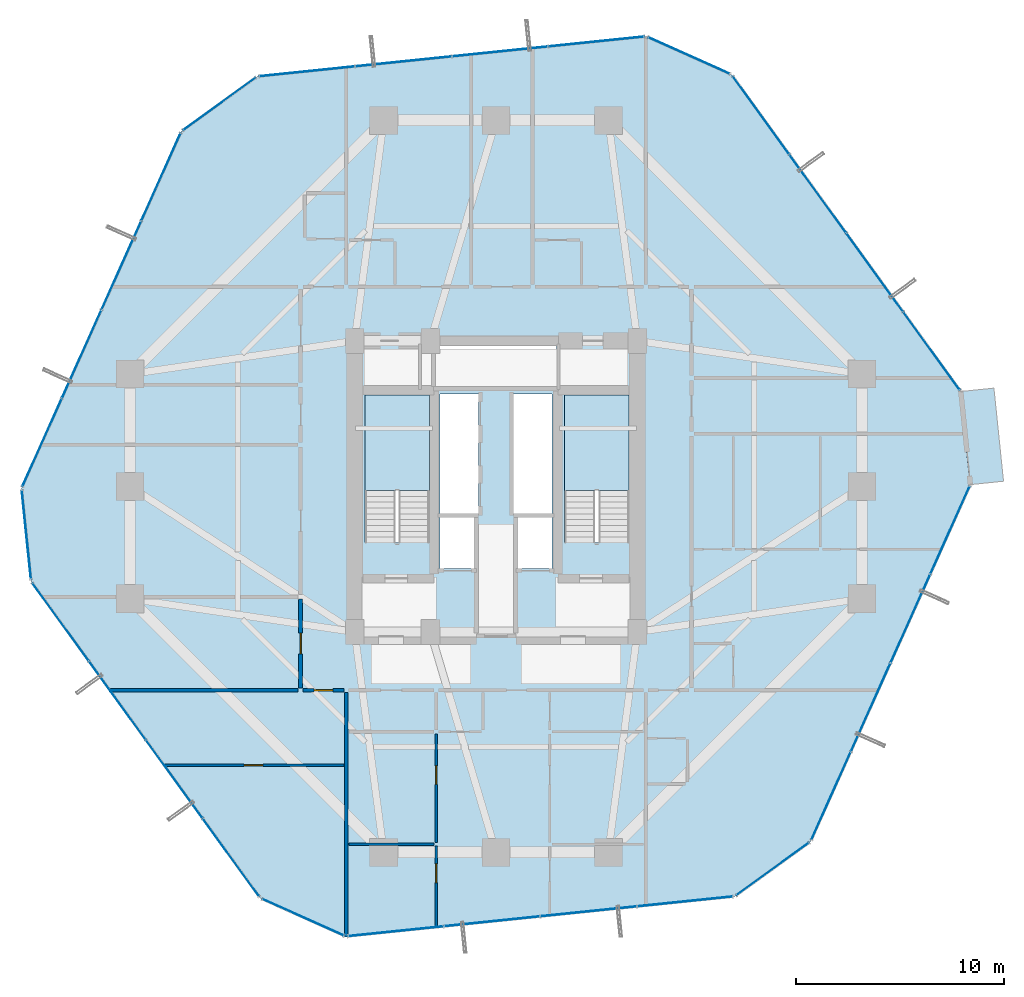
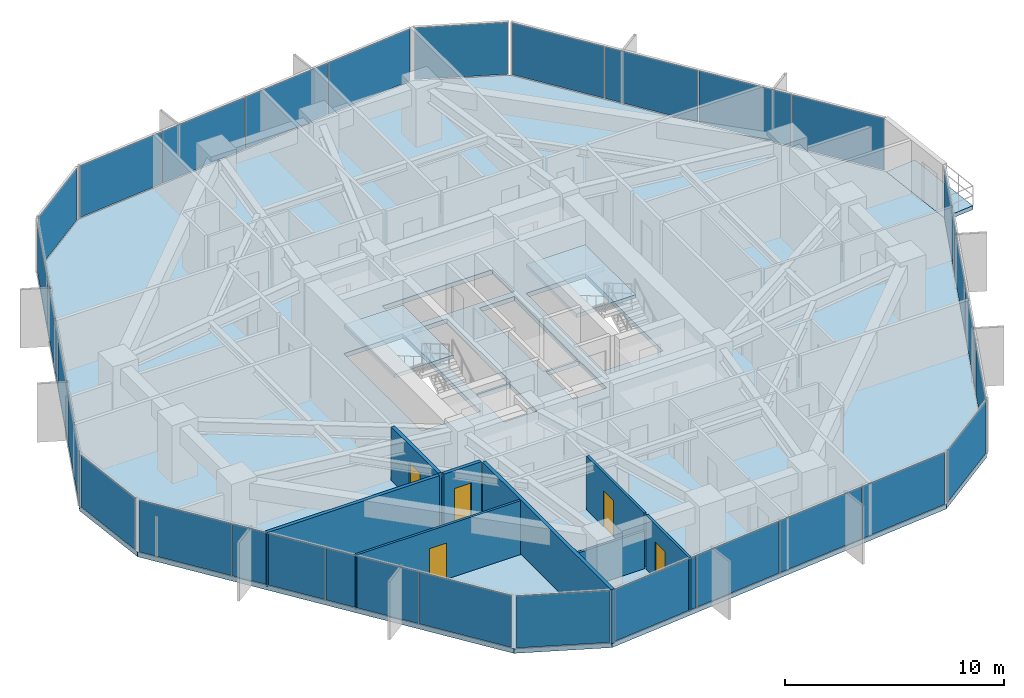
# One storey, part 32 of 37: 29 plates, 8 walls, 5 doors, 4 slabs, 5 openings, 13 elements without a shape of their own.
"""IFC4 building model written with IfcOpenShell, lengths in metres."""

import ifcopenshell
import ifcopenshell.guid

model = None  # the IFC model being written
_history = None  # IfcOwnerHistory: only IFC2X3 demands one
_inside = {}  # id of a spatial element -> (the spatial element, [elements in it])
_under = {}  # id of a project, library or spatial element -> (it, [spatial elements below it])
_declared = {}  # id of a project -> (the project, [libraries it declares])
_typed = {}  # id of a type object -> (the type object, [elements of that type])
_made_of = {}  # id of a material, layer set ... -> (it, [elements and type objects made of it])


def new_model(schema):
    """Start an empty IFC model of exactly this schema.

    Asked for "IFC4X3", IfcOpenShell would pick the latest addendum, in which some entities
    have other attributes; the version numbers below select the first issue.
    IFC2X3 requires an IfcOwnerHistory on every rooted entity: one is made here for all.
    """
    global model, _history
    if schema == "IFC4X3":
        model = ifcopenshell.file(schema_version=(4, 3, 0, 0))
    else:
        model = ifcopenshell.file(schema=schema)
    _inside.clear()
    _under.clear()
    _declared.clear()
    _typed.clear()
    _made_of.clear()
    _history = None
    if model.schema == "IFC2X3":
        org = make("IfcOrganization", Name="unknown")
        user = make(
            "IfcPersonAndOrganization",
            ThePerson=make("IfcPerson", FamilyName="unknown"),
            TheOrganization=org,
        )
        app = make(
            "IfcApplication",
            ApplicationDeveloper=org,
            Version="unknown",
            ApplicationFullName="unknown",
            ApplicationIdentifier="unknown",
        )
        _history = make(
            "IfcOwnerHistory",
            OwningUser=user,
            OwningApplication=app,
            ChangeAction="ADDED",
            CreationDate=0,
        )
    return model


def make(cls, **values):
    """One entity of the class cls with the attributes given. An attribute that is None is left unset."""
    return model.create_entity(
        cls, **{name: value for name, value in values.items() if value is not None}
    )


def rooted(cls, **values):
    """An entity with a GlobalId (a new one), such as an element, a storey or a relation."""
    return make(cls, GlobalId=ifcopenshell.guid.new(), OwnerHistory=_history, **values)


def si_unit(unit_type, name, prefix=None):
    """IfcSIUnit, for example si_unit("LENGTHUNIT", "METRE", prefix="MILLI")."""
    return make("IfcSIUnit", UnitType=unit_type, Prefix=prefix, Name=name)


def assignment(units):
    """IfcUnitAssignment: the units of a project."""
    return None if units is None else make("IfcUnitAssignment", Units=units)


def point(xyz):
    """IfcCartesianPoint."""
    return None if xyz is None else make("IfcCartesianPoint", Coordinates=xyz)


def direction(xyz):
    """IfcDirection."""
    return None if xyz is None else make("IfcDirection", DirectionRatios=xyz)


def frame(location, z_axis=None, x_axis=None):
    """IfcAxis2Placement3D, a coordinate frame: its origin and axes. An axis left out is left unset."""
    return make(
        "IfcAxis2Placement3D",
        Location=point(location),
        Axis=direction(z_axis),
        RefDirection=direction(x_axis),
    )


def frame_2d(location, x_axis=None):
    """IfcAxis2Placement2D, a coordinate frame in the plane: its origin and x axis."""
    return make(
        "IfcAxis2Placement2D", Location=point(location), RefDirection=direction(x_axis)
    )


def origin():
    """The frame at (0, 0, 0) with its axes left unset."""
    return frame((0.0, 0.0, 0.0))


def origin_2d():
    """The frame at (0, 0) in the plane with its x axis left unset."""
    return frame_2d((0.0, 0.0))


def place(relative_to, where):
    """IfcLocalPlacement: puts the frame where relative to a parent placement (None: the world)."""
    return make(
        "IfcLocalPlacement", PlacementRelTo=relative_to, RelativePlacement=where
    )


def context(
    kind, dimensions, precision=None, world=None, true_north=None, identifier=None
):
    """IfcGeometricRepresentationContext, for example the 3D "Model" context."""
    return make(
        "IfcGeometricRepresentationContext",
        ContextIdentifier=identifier,
        ContextType=kind,
        CoordinateSpaceDimension=dimensions,
        Precision=precision,
        WorldCoordinateSystem=world,
        TrueNorth=true_north,
    )


def subcontext(parent, identifier, kind, view, scale=None):
    """IfcGeometricRepresentationSubContext, for example "Body" below "Model"."""
    return make(
        "IfcGeometricRepresentationSubContext",
        ContextIdentifier=identifier,
        ContextType=kind,
        ParentContext=parent,
        TargetScale=scale,
        TargetView=view,
    )


def project(units=None, contexts=None):
    """IfcProject with its units and contexts."""
    return rooted(
        "IfcProject",
        Name="project",
        RepresentationContexts=contexts,
        UnitsInContext=assignment(units),
    )


def spatial(cls, under=None, at=None, **own):
    """A site, building, storey or space (cls), placed at a placement, below another one or the project."""
    s = rooted(cls, ObjectPlacement=at, **own)
    if under is not None:
        _under.setdefault(under.id(), (under, []))[1].append(s)
    return s


def polyline(points):
    """IfcPolyline through the points."""
    return make("IfcPolyline", Points=[point(p) for p in points])


def profile(cls, at=None, kind="AREA", **sizes):
    """A parametric profile (cls). Its sizes go by their IFC names, for example OverallWidth=200.0."""
    return make(cls, ProfileType=kind, Position=at, **sizes)


def rectangle(**sizes):
    """IfcRectangleProfileDef."""
    return profile("IfcRectangleProfileDef", **sizes)


def outline(outer, holes=None, kind="AREA"):
    """IfcArbitraryClosedProfileDef: a profile drawn as a closed curve; with holes, ...WithVoids."""
    if holes is None:
        return make("IfcArbitraryClosedProfileDef", ProfileType=kind, OuterCurve=outer)
    return make(
        "IfcArbitraryProfileDefWithVoids",
        ProfileType=kind,
        OuterCurve=outer,
        InnerCurves=holes,
    )


def extrude(swept, where, along, depth):
    """IfcExtrudedAreaSolid: the profile swept, set in the frame where, extruded along a direction by depth."""
    return make(
        "IfcExtrudedAreaSolid",
        SweptArea=swept,
        Position=where,
        ExtrudedDirection=direction(along),
        Depth=depth,
    )


def shape(context_of_items, identifier, shape_type, items):
    """IfcShapeRepresentation: the items that make up one representation, for example the "Body"."""
    return make(
        "IfcShapeRepresentation",
        ContextOfItems=context_of_items,
        RepresentationIdentifier=identifier,
        RepresentationType=shape_type,
        Items=items,
    )


def source(mapping_origin, context_of_items, identifier, shape_type, items):
    """IfcRepresentationMap: a shape defined once, which mapped items show again and again."""
    return make(
        "IfcRepresentationMap",
        MappingOrigin=mapping_origin,
        MappedRepresentation=shape(context_of_items, identifier, shape_type, items),
    )


def transform(
    local_origin,
    x_axis=None,
    y_axis=None,
    z_axis=None,
    scale=None,
    scale2=None,
    scale3=None,
    uniform=True,
):
    """IfcCartesianTransformationOperator3D, or its non-uniform kind. x_axis, y_axis, z_axis: its Axis1, 2, 3."""
    if uniform:
        return make(
            "IfcCartesianTransformationOperator3D",
            Axis1=direction(x_axis),
            Axis2=direction(y_axis),
            LocalOrigin=point(local_origin),
            Scale=scale,
            Axis3=direction(z_axis),
        )
    return make(
        "IfcCartesianTransformationOperator3DnonUniform",
        Axis1=direction(x_axis),
        Axis2=direction(y_axis),
        LocalOrigin=point(local_origin),
        Scale=scale,
        Axis3=direction(z_axis),
        Scale2=scale2,
        Scale3=scale3,
    )


def mapped(mapping_source, mapping_target):
    """IfcMappedItem: shows the shape of a source again, moved by a transform."""
    return make(
        "IfcMappedItem", MappingSource=mapping_source, MappingTarget=mapping_target
    )


def material(Name=None, Category=None):
    """IfcMaterial."""
    return make("IfcMaterial", Name=Name, Category=Category)


def layer(
    of_material, thickness, ventilated=None, Name=None, Category=None, Priority=None
):
    """IfcMaterialLayer: one layer of a wall or slab, of a material (None: an air gap)."""
    return make(
        "IfcMaterialLayer",
        Material=of_material,
        LayerThickness=thickness,
        IsVentilated=ventilated,
        Name=Name,
        Category=Category,
        Priority=Priority,
    )


def layer_set(layers, Name=None):
    """IfcMaterialLayerSet."""
    return make("IfcMaterialLayerSet", MaterialLayers=layers, LayerSetName=Name)


def made_of(thing, what):
    """Note that an element or type object is made of a material, layer set ...; save() writes the relation."""
    if what is not None:
        _made_of.setdefault(what.id(), (what, []))[1].append(thing)
    return thing


def type_object(cls, material=None, **own):
    """A type object (cls), such as IfcWallType, which elements share."""
    return made_of(rooted(cls, **own), material)


def element(
    cls,
    number,
    at=None,
    inside=None,
    cuts=None,
    type_object=None,
    material=None,
    context=None,
    identifier="Body",
    shape_type=None,
    held_by="IfcProductDefinitionShape",
    body=None,
    shapes=None,
    **own,
):
    """One element of the class cls, such as IfcWall. Its Tag is "e" and its number.

    at: its placement. inside: the storey or other place that contains it. cuts: it is an
    opening in that element (IfcRelVoidsElement). A single representation is given by context,
    identifier, shape_type and body (its items); several are given by shapes. held_by: the class
    of the entity that holds the representations. save() writes the other relations.
    """
    e = rooted(cls, Tag="e%d" % number, ObjectPlacement=at, **own)
    if body is not None:
        shapes = [shape(context, identifier, shape_type, body)]
    if shapes is not None:
        e.Representation = make(held_by, Representations=shapes)
    if inside is not None:
        _inside.setdefault(inside.id(), (inside, []))[1].append(e)
    if cuts is not None:
        rooted(
            "IfcRelVoidsElement", RelatingBuildingElement=cuts, RelatedOpeningElement=e
        )
    if type_object is not None:
        _typed.setdefault(type_object.id(), (type_object, []))[1].append(e)
    return made_of(e, material)


def fill(opening, filler):
    """IfcRelFillsElement: the door or window that sits in an opening."""
    return rooted(
        "IfcRelFillsElement",
        RelatingOpeningElement=opening,
        RelatedBuildingElement=filler,
    )


def aggregate(whole, parts):
    """IfcRelAggregates: a whole, such as a stair, and the parts it consists of."""
    return rooted("IfcRelAggregates", RelatingObject=whole, RelatedObjects=parts)


def save(model, path):
    """Write the relations noted so far, then the file.

    IfcRelAggregates (storeys below a building ...), IfcRelContainedInSpatialStructure (elements
    in a storey), IfcRelDefinesByType, IfcRelAssociatesMaterial and IfcRelDeclares: one each for
    every whole, place, type object, material and project.
    """
    for whole, parts in _under.values():
        aggregate(whole, parts)
    for where, things in _inside.values():
        rooted(
            "IfcRelContainedInSpatialStructure",
            RelatedElements=things,
            RelatingStructure=where,
        )
    for kind, things in _typed.values():
        rooted("IfcRelDefinesByType", RelatedObjects=things, RelatingType=kind)
    for what, things in _made_of.values():
        rooted("IfcRelAssociatesMaterial", RelatedObjects=things, RelatingMaterial=what)
    for by, libraries in _declared.values():
        rooted("IfcRelDeclares", RelatingContext=by, RelatedDefinitions=libraries)
    model.write(path)


model = new_model("IFC4")

# Units and contexts
model_context = context("Model", 3, precision=1e-05, world=origin(), true_north=direction((0.0, 1.0)))
body_context = subcontext(model_context, "Body", "Model", "MODEL_VIEW")
ifc_project = project(units=[si_unit("LENGTHUNIT", "METRE"), si_unit("AREAUNIT", "SQUARE_METRE"), si_unit("VOLUMEUNIT", "CUBIC_METRE"), si_unit("PLANEANGLEUNIT", "RADIAN"), si_unit("MASSUNIT", "GRAM", prefix="KILO")], contexts=[model_context])

# Site, building, storey
site_placement = place(None, origin())
site = spatial("IfcSite", under=ifc_project, at=site_placement, CompositionType="ELEMENT")
building_placement = place(site_placement, origin())
building = spatial("IfcBuilding", under=site, at=building_placement, Name="Veraguas Prism Commons", CompositionType="ELEMENT")
storey_placement = place(building_placement, frame((0.0, 0.0, 43.550048828125)))
storey = spatial("IfcBuildingStorey", under=building, at=storey_placement, Name="L11", CompositionType="ELEMENT", Elevation=43.550048828125)

# Stair, slab
ifc_material_1 = material(Name="Precast concrete C45/55", Category="concrete")
stair_type = type_object("IfcStairType", Name="Dogleg Core Stair 1480W 20R 05", PredefinedType="HALF_TURN_STAIR", material=ifc_material_1)
stair_1_placement = place(storey_placement, origin())
stair_1 = element("IfcStair", 1, at=stair_1_placement, inside=storey, type_object=stair_type, Name="Protected Exit Stair ST-01 L11", PredefinedType="HALF_TURN_STAIR")
ifc_layer_1 = layer(ifc_material_1, 0.199951171875, Name="Precast Stair and Ramp Landing Slab 200", Category="concrete")
ifc_layer_set_1 = layer_set([ifc_layer_1], Name="Precast concrete C45/55")
slab_type_1 = type_object("IfcSlabType", Name="Precast Stair and Ramp Landing Slab 200", PredefinedType="LANDING", material=ifc_layer_set_1)
slab_1_placement = place(storey_placement, frame((0.0, 0.0, 1.425048828125)))
slab_1 = element("IfcSlab", 2, at=slab_1_placement, type_object=slab_type_1, Name="ST-05 Landing 1", PredefinedType="LANDING", context=body_context, shape_type="SweptSolid", body=[
    extrude(outline(polyline([(20.800048828125, 23.800048828125), (20.800048828125, 28.39990234375), (17.68994140625, 28.39990234375), (17.68994140625, 23.800048828125), (20.800048828125, 23.800048828125)])), origin(), (0.0, 0.0, 1.0), 0.199951171875),
])
aggregate(stair_1, [slab_1])

stair_2_placement = place(storey_placement, origin())
stair_2 = element("IfcStair", 3, at=stair_2_placement, inside=storey, type_object=stair_type, Name="Protected Exit Stair ST-02 L11", PredefinedType="HALF_TURN_STAIR")
slab_2_placement = place(storey_placement, frame((0.0, 0.0, 1.425048828125)))
slab_2 = element("IfcSlab", 4, at=slab_2_placement, type_object=slab_type_1, Name="ST-05 Landing 1", PredefinedType="LANDING", context=body_context, shape_type="SweptSolid", body=[
    extrude(outline(polyline([(30.39990234375, 23.800048828125), (30.39990234375, 28.39990234375), (27.2900390625, 28.39990234375), (27.2900390625, 23.800048828125), (30.39990234375, 23.800048828125)])), origin(), (0.0, 0.0, 1.0), 0.199951171875),
])
aggregate(stair_2, [slab_2])

# Slabs
ifc_material_2 = material(Name="Concrete C45/55", Category="concrete")
ifc_layer_2 = layer(ifc_material_2, 0.219970703125, Name="Recessed Loggia and Terrace Slab RC 220", Category="concrete")
ifc_layer_set_2 = layer_set([ifc_layer_2], Name="Concrete C45/55")
slab_type_2 = type_object("IfcSlabType", Name="Recessed Loggia and Terrace Slab RC 220", PredefinedType="FLOOR", material=ifc_layer_set_2)
slab_3_placement = place(storey_placement, frame((0.0, 0.0, -0.219970703125)))
element("IfcSlab", 5, at=slab_3_placement, inside=storey, type_object=slab_type_2, Name="Recessed Corner Loggia L11-C1", PredefinedType="FLOOR", context=body_context, shape_type="SweptSolid", body=[
    extrude(outline(polyline([(46.7919921875, 24.08544921875), (48.403564453125, 24.251220703125), (47.942626953125, 28.727783203125), (46.3310546875, 28.561767578125), (46.7919921875, 24.08544921875)])), origin(), (0.0, 0.0, 1.0), 0.219970703125),
])
ifc_layer_3 = layer(ifc_material_2, 0.25, Name="Tower Lower Residential Floor Slab RC 250", Category="concrete")
ifc_layer_set_3 = layer_set([ifc_layer_3], Name="Concrete C45/55")
slab_type_3 = type_object("IfcSlabType", Name="Tower Lower Residential Floor Slab RC 250", PredefinedType="FLOOR", material=ifc_layer_set_3)
slab_4_placement = place(storey_placement, frame((0.0, 0.0, -0.25)))
element("IfcSlab", 6, at=slab_4_placement, inside=storey, type_object=slab_type_3, Name="Tower Floor Slab L11", PredefinedType="FLOOR", context=body_context, shape_type="SweptSolid", body=[
    extrude(outline(polyline([(46.81201171875, 24.08740234375), (46.35107421875, 28.563720703125), (35.330322265625, 43.799560546875), (31.22314453125, 45.638427734375), (12.518310546875, 43.712158203125), (8.8720703125, 41.07470703125), (1.18798828125, 23.91259765625), (1.64892578125, 19.436279296875), (12.669677734375, 4.200439453125), (16.77685546875, 2.361572265625), (35.481689453125, 4.287841796875), (39.1279296875, 6.92529296875), (46.81201171875, 24.08740234375)]), holes=[polyline([(20.800048828125, 21.31005859375), (20.800048828125, 28.39990234375), (17.68994140625, 28.39990234375), (17.68994140625, 21.31005859375), (20.800048828125, 21.31005859375)]), polyline([(30.39990234375, 21.31005859375), (30.39990234375, 28.39990234375), (27.2900390625, 28.39990234375), (27.2900390625, 21.31005859375), (30.39990234375, 21.31005859375)]), polyline([(21.300048828125, 22.64990234375), (23.14990234375, 22.64990234375), (23.14990234375, 28.449951171875), (21.300048828125, 28.449951171875), (21.300048828125, 22.64990234375)]), polyline([(24.85009765625, 22.64990234375), (26.699951171875, 22.64990234375), (26.699951171875, 28.449951171875), (24.85009765625, 28.449951171875), (24.85009765625, 22.64990234375)]), polyline([(21.10009765625, 28.800048828125), (26.89990234375, 28.800048828125), (26.89990234375, 30.800048828125), (21.10009765625, 30.800048828125), (21.10009765625, 28.800048828125)]), polyline([(21.300048828125, 20.050048828125), (23.050048828125, 20.050048828125), (23.050048828125, 22.550048828125), (21.300048828125, 22.550048828125), (21.300048828125, 20.050048828125)]), polyline([(24.949951171875, 20.050048828125), (26.699951171875, 20.050048828125), (26.699951171875, 22.550048828125), (24.949951171875, 22.550048828125), (24.949951171875, 20.050048828125)])]), origin(), (0.0, 0.0, 1.0), 0.25),
])

# Curtain wall, plates
ifc_material_3 = material(Name="Anodised aluminium EN AW-6063 T6", Category="aluminium")
ifc_layer_4 = layer(ifc_material_3, 0.169921875, Name="Unitised Flush Curtain Wall Zone 1", Category="aluminium")
ifc_layer_set_4 = layer_set([ifc_layer_4], Name="Anodised aluminium EN AW-6063 T6")
curtain_wall_type = type_object("IfcCurtainWallType", Name="Unitised Flush Curtain Wall Zone 1", PredefinedType="NOTDEFINED", material=ifc_layer_set_4)
curtain_wall_1_placement = place(storey_placement, origin())
curtain_wall_1 = element("IfcCurtainWall", 7, at=curtain_wall_1_placement, inside=storey, type_object=curtain_wall_type, Name="Tower Facade Curtain Wall L11-F1", PredefinedType="NOTDEFINED")
ifc_material_4 = material(Name="Laminated low-e glass", Category="glass")
ifc_layer_5 = layer(ifc_material_4, 0.028076171875, Name="Unitised Double Low-E Glazed Panel 28", Category="glass")
ifc_layer_set_5 = layer_set([ifc_layer_5], Name="Laminated low-e glass")
plate_type = type_object("IfcPlateType", Name="Unitised Double Low-E Glazed Panel 28", PredefinedType="CURTAIN_PANEL", material=ifc_layer_set_5)
shared_shape_1 = source(origin(), body_context, "Body", "SweptSolid", [
    extrude(rectangle(XDim=4.5810546875, YDim=0.028076171875, at=origin_2d()), origin(), (0.0, 0.0, 1.0), 2.889892578125),
])
plate_1_placement = place(storey_placement, frame((44.938232421875, 30.516845703125, 0.05517578125), z_axis=(0.0, 0.0, 1.0), x_axis=(-0.586086734847, 0.81024831949, 0.0)))
plate_1 = element("IfcPlate", 8, at=plate_1_placement, type_object=plate_type, Name="CW-Z1 Panel 1.1", PredefinedType="CURTAIN_PANEL", context=body_context, shape_type="MappedRepresentation", body=[
    mapped(shared_shape_1, transform((0.0, 0.0, 0.0), scale=1.0)),
])
plate_2_placement = place(storey_placement, frame((36.7431640625, 41.846435546875, 0.05517578125), z_axis=(0.0, 0.0, 1.0), x_axis=(-0.586086734847, 0.81024831949, 0.0)))
plate_2 = element("IfcPlate", 9, at=plate_2_placement, type_object=plate_type, Name="CW-Z1 Panel 4.1", PredefinedType="CURTAIN_PANEL", context=body_context, shape_type="MappedRepresentation", body=[
    mapped(shared_shape_1, transform((0.0, 0.0, 0.0), scale=1.0)),
])

curtain_wall_2_placement = place(storey_placement, origin())
curtain_wall_2 = element("IfcCurtainWall", 10, at=curtain_wall_2_placement, inside=storey, type_object=curtain_wall_type, Name="Tower Facade Curtain Wall L11-F2", PredefinedType="NOTDEFINED")
plate_3_placement = place(storey_placement, frame((28.825439453125, 45.3916015625, 0.05517578125), z_axis=(0.0, 0.0, 1.0), x_axis=(-0.994738459078, -0.102447049893, 0.0)))
plate_3 = element("IfcPlate", 11, at=plate_3_placement, type_object=plate_type, Name="CW-Z1 Panel 1.1", PredefinedType="CURTAIN_PANEL", context=body_context, shape_type="MappedRepresentation", body=[
    mapped(shared_shape_1, transform((0.0, 0.0, 0.0), scale=1.0)),
])
plate_4_placement = place(storey_placement, frame((14.916015625, 43.958984375, 0.05517578125), z_axis=(0.0, 0.0, 1.0), x_axis=(-0.994738459078, -0.102447049893, 0.0)))
plate_4 = element("IfcPlate", 12, at=plate_4_placement, type_object=plate_type, Name="CW-Z1 Panel 4.1", PredefinedType="CURTAIN_PANEL", context=body_context, shape_type="MappedRepresentation", body=[
    mapped(shared_shape_1, transform((0.0, 0.0, 0.0), scale=1.0)),
])

curtain_wall_3_placement = place(storey_placement, origin())
curtain_wall_3 = element("IfcCurtainWall", 13, at=curtain_wall_3_placement, inside=storey, type_object=curtain_wall_type, Name="Tower Facade Curtain Wall L11-F3", PredefinedType="NOTDEFINED")
plate_5_placement = place(storey_placement, frame((7.886962890625, 38.874755859375, 0.05517578125), z_axis=(0.0, 0.0, 1.0), x_axis=(-0.408649074736, -0.912691587404, 0.0)))
plate_5 = element("IfcPlate", 14, at=plate_5_placement, type_object=plate_type, Name="CW-Z1 Panel 1.1", PredefinedType="CURTAIN_PANEL", context=body_context, shape_type="MappedRepresentation", body=[
    mapped(shared_shape_1, transform((0.0, 0.0, 0.0), scale=1.0)),
])
plate_6_placement = place(storey_placement, frame((2.173095703125, 26.112548828125, 0.05517578125), z_axis=(0.0, 0.0, 1.0), x_axis=(-0.408649074736, -0.912691587404, 0.0)))
plate_6 = element("IfcPlate", 15, at=plate_6_placement, type_object=plate_type, Name="CW-Z1 Panel 4.1", PredefinedType="CURTAIN_PANEL", context=body_context, shape_type="MappedRepresentation", body=[
    mapped(shared_shape_1, transform((0.0, 0.0, 0.0), scale=1.0)),
])

curtain_wall_4_placement = place(storey_placement, origin())
curtain_wall_4 = element("IfcCurtainWall", 16, at=curtain_wall_4_placement, inside=storey, type_object=curtain_wall_type, Name="Tower Facade Curtain Wall L11-F4", PredefinedType="NOTDEFINED")
plate_7_placement = place(storey_placement, frame((3.061767578125, 17.483154296875, 0.05517578125), z_axis=(0.0, 0.0, 1.0), x_axis=(0.586086734847, -0.81024831949, 0.0)))
plate_7 = element("IfcPlate", 17, at=plate_7_placement, type_object=plate_type, Name="CW-Z1 Panel 1.1", PredefinedType="CURTAIN_PANEL", context=body_context, shape_type="MappedRepresentation", body=[
    mapped(shared_shape_1, transform((0.0, 0.0, 0.0), scale=1.0)),
])
plate_8_placement = place(storey_placement, frame((11.2568359375, 6.153564453125, 0.05517578125), z_axis=(0.0, 0.0, 1.0), x_axis=(0.586086734847, -0.81024831949, 0.0)))
plate_8 = element("IfcPlate", 18, at=plate_8_placement, type_object=plate_type, Name="CW-Z1 Panel 4.1", PredefinedType="CURTAIN_PANEL", context=body_context, shape_type="MappedRepresentation", body=[
    mapped(shared_shape_1, transform((0.0, 0.0, 0.0), scale=1.0)),
])

curtain_wall_5_placement = place(storey_placement, origin())
curtain_wall_5 = element("IfcCurtainWall", 19, at=curtain_wall_5_placement, inside=storey, type_object=curtain_wall_type, Name="Tower Facade Curtain Wall L11-F5", PredefinedType="NOTDEFINED")
plate_9_placement = place(storey_placement, frame((19.174560546875, 2.6083984375, 0.05517578125), z_axis=(0.0, 0.0, 1.0), x_axis=(0.994738459078, 0.102447049893, 0.0)))
plate_9 = element("IfcPlate", 20, at=plate_9_placement, type_object=plate_type, Name="CW-Z1 Panel 1.1", PredefinedType="CURTAIN_PANEL", context=body_context, shape_type="MappedRepresentation", body=[
    mapped(shared_shape_1, transform((0.0, 0.0, 0.0), scale=1.0)),
])
plate_10_placement = place(storey_placement, frame((33.083984375, 4.041015625, 0.05517578125), z_axis=(0.0, 0.0, 1.0), x_axis=(0.994738459078, 0.102447049893, 0.0)))
plate_10 = element("IfcPlate", 21, at=plate_10_placement, type_object=plate_type, Name="CW-Z1 Panel 4.1", PredefinedType="CURTAIN_PANEL", context=body_context, shape_type="MappedRepresentation", body=[
    mapped(shared_shape_1, transform((0.0, 0.0, 0.0), scale=1.0)),
])

curtain_wall_6_placement = place(storey_placement, origin())
curtain_wall_6 = element("IfcCurtainWall", 22, at=curtain_wall_6_placement, inside=storey, type_object=curtain_wall_type, Name="Tower Facade Curtain Wall L11-F6", PredefinedType="NOTDEFINED")
plate_11_placement = place(storey_placement, frame((40.113037109375, 9.125244140625, 0.05517578125), z_axis=(0.0, 0.0, 1.0), x_axis=(0.408649074736, 0.912691587404, 0.0)))
plate_11 = element("IfcPlate", 23, at=plate_11_placement, type_object=plate_type, Name="CW-Z1 Panel 1.1", PredefinedType="CURTAIN_PANEL", context=body_context, shape_type="MappedRepresentation", body=[
    mapped(shared_shape_1, transform((0.0, 0.0, 0.0), scale=1.0)),
])
plate_12_placement = place(storey_placement, frame((45.826904296875, 21.887451171875, 0.05517578125), z_axis=(0.0, 0.0, 1.0), x_axis=(0.408649074736, 0.912691587404, 0.0)))
plate_12 = element("IfcPlate", 24, at=plate_12_placement, type_object=plate_type, Name="CW-Z1 Panel 4.1", PredefinedType="CURTAIN_PANEL", context=body_context, shape_type="MappedRepresentation", body=[
    mapped(shared_shape_1, transform((0.0, 0.0, 0.0), scale=1.0)),
])

# Plate
shared_shape_2 = source(origin(), body_context, "Body", "SweptSolid", [
    extrude(rectangle(XDim=4.61083984375, YDim=0.028076171875, at=origin_2d()), origin(), (0.0, 0.0, 1.0), 2.889892578125),
])
plate_13_placement = place(storey_placement, frame((42.20947265625, 34.289306640625, 0.05517578125), z_axis=(0.0, 0.0, 1.0), x_axis=(-0.586086734847, 0.81024831949, 0.0)))
plate_13 = element("IfcPlate", 25, at=plate_13_placement, type_object=plate_type, Name="CW-Z1 Panel 2.1", PredefinedType="CURTAIN_PANEL", context=body_context, shape_type="MappedRepresentation", body=[
    mapped(shared_shape_2, transform((0.0, 0.0, 0.0), scale=1.0)),
])

plate_14_placement = place(storey_placement, frame((39.471923828125, 38.073974609375, 0.05517578125), z_axis=(0.0, 0.0, 1.0), x_axis=(-0.586086734847, 0.81024831949, 0.0)))
plate_14 = element("IfcPlate", 26, at=plate_14_placement, type_object=plate_type, Name="CW-Z1 Panel 3.1", PredefinedType="CURTAIN_PANEL", context=body_context, shape_type="MappedRepresentation", body=[
    mapped(shared_shape_2, transform((0.0, 0.0, 0.0), scale=1.0)),
])

aggregate(curtain_wall_1, [plate_1, plate_13, plate_14, plate_2])

plate_15_placement = place(storey_placement, frame((24.19384765625, 44.91455078125, 0.05517578125), z_axis=(0.0, 0.0, 1.0), x_axis=(-0.994738459078, -0.102447049893, 0.0)))
plate_15 = element("IfcPlate", 27, at=plate_15_placement, type_object=plate_type, Name="CW-Z1 Panel 2.1", PredefinedType="CURTAIN_PANEL", context=body_context, shape_type="MappedRepresentation", body=[
    mapped(shared_shape_2, transform((0.0, 0.0, 0.0), scale=1.0)),
])

plate_16_placement = place(storey_placement, frame((19.547607421875, 44.43603515625, 0.05517578125), z_axis=(0.0, 0.0, 1.0), x_axis=(-0.994738459078, -0.102447049893, 0.0)))
plate_16 = element("IfcPlate", 28, at=plate_16_placement, type_object=plate_type, Name="CW-Z1 Panel 3.1", PredefinedType="CURTAIN_PANEL", context=body_context, shape_type="MappedRepresentation", body=[
    mapped(shared_shape_2, transform((0.0, 0.0, 0.0), scale=1.0)),
])

aggregate(curtain_wall_2, [plate_3, plate_15, plate_16, plate_4])

plate_17_placement = place(storey_placement, frame((5.984375, 34.625244140625, 0.05517578125), z_axis=(0.0, 0.0, 1.0), x_axis=(-0.408649074736, -0.912691587404, 0.0)))
plate_17 = element("IfcPlate", 29, at=plate_17_placement, type_object=plate_type, Name="CW-Z1 Panel 2.1", PredefinedType="CURTAIN_PANEL", context=body_context, shape_type="MappedRepresentation", body=[
    mapped(shared_shape_2, transform((0.0, 0.0, 0.0), scale=1.0)),
])

plate_18_placement = place(storey_placement, frame((4.07568359375, 30.362060546875, 0.05517578125), z_axis=(0.0, 0.0, 1.0), x_axis=(-0.408649074736, -0.912691587404, 0.0)))
plate_18 = element("IfcPlate", 30, at=plate_18_placement, type_object=plate_type, Name="CW-Z1 Panel 3.1", PredefinedType="CURTAIN_PANEL", context=body_context, shape_type="MappedRepresentation", body=[
    mapped(shared_shape_2, transform((0.0, 0.0, 0.0), scale=1.0)),
])

aggregate(curtain_wall_3, [plate_5, plate_17, plate_18, plate_6])

plate_19_placement = place(storey_placement, frame((5.79052734375, 13.710693359375, 0.05517578125), z_axis=(0.0, 0.0, 1.0), x_axis=(0.586086734847, -0.81024831949, 0.0)))
plate_19 = element("IfcPlate", 31, at=plate_19_placement, type_object=plate_type, Name="CW-Z1 Panel 2.1", PredefinedType="CURTAIN_PANEL", context=body_context, shape_type="MappedRepresentation", body=[
    mapped(shared_shape_2, transform((0.0, 0.0, 0.0), scale=1.0)),
])

plate_20_placement = place(storey_placement, frame((8.528076171875, 9.926025390625, 0.05517578125), z_axis=(0.0, 0.0, 1.0), x_axis=(0.586086734847, -0.81024831949, 0.0)))
plate_20 = element("IfcPlate", 32, at=plate_20_placement, type_object=plate_type, Name="CW-Z1 Panel 3.1", PredefinedType="CURTAIN_PANEL", context=body_context, shape_type="MappedRepresentation", body=[
    mapped(shared_shape_2, transform((0.0, 0.0, 0.0), scale=1.0)),
])

aggregate(curtain_wall_4, [plate_7, plate_19, plate_20, plate_8])

plate_21_placement = place(storey_placement, frame((23.80615234375, 3.08544921875, 0.05517578125), z_axis=(0.0, 0.0, 1.0), x_axis=(0.994738459078, 0.102447049893, 0.0)))
plate_21 = element("IfcPlate", 33, at=plate_21_placement, type_object=plate_type, Name="CW-Z1 Panel 2.1", PredefinedType="CURTAIN_PANEL", context=body_context, shape_type="MappedRepresentation", body=[
    mapped(shared_shape_2, transform((0.0, 0.0, 0.0), scale=1.0)),
])

plate_22_placement = place(storey_placement, frame((28.452392578125, 3.56396484375, 0.05517578125), z_axis=(0.0, 0.0, 1.0), x_axis=(0.994738459078, 0.102447049893, 0.0)))
plate_22 = element("IfcPlate", 34, at=plate_22_placement, type_object=plate_type, Name="CW-Z1 Panel 3.1", PredefinedType="CURTAIN_PANEL", context=body_context, shape_type="MappedRepresentation", body=[
    mapped(shared_shape_2, transform((0.0, 0.0, 0.0), scale=1.0)),
])

aggregate(curtain_wall_5, [plate_9, plate_21, plate_22, plate_10])

plate_23_placement = place(storey_placement, frame((42.015625, 13.374755859375, 0.05517578125), z_axis=(0.0, 0.0, 1.0), x_axis=(0.408649074736, 0.912691587404, 0.0)))
plate_23 = element("IfcPlate", 35, at=plate_23_placement, type_object=plate_type, Name="CW-Z1 Panel 2.1", PredefinedType="CURTAIN_PANEL", context=body_context, shape_type="MappedRepresentation", body=[
    mapped(shared_shape_2, transform((0.0, 0.0, 0.0), scale=1.0)),
])

plate_24_placement = place(storey_placement, frame((43.92431640625, 17.637939453125, 0.05517578125), z_axis=(0.0, 0.0, 1.0), x_axis=(0.408649074736, 0.912691587404, 0.0)))
plate_24 = element("IfcPlate", 36, at=plate_24_placement, type_object=plate_type, Name="CW-Z1 Panel 3.1", PredefinedType="CURTAIN_PANEL", context=body_context, shape_type="MappedRepresentation", body=[
    mapped(shared_shape_2, transform((0.0, 0.0, 0.0), scale=1.0)),
])

aggregate(curtain_wall_6, [plate_11, plate_23, plate_24, plate_12])

# Curtain wall, plate
curtain_wall_7_placement = place(storey_placement, origin())
curtain_wall_7 = element("IfcCurtainWall", 37, at=curtain_wall_7_placement, inside=storey, type_object=curtain_wall_type, Name="Chamfer Curtain Wall L11-C2", PredefinedType="NOTDEFINED")
shared_shape_3 = source(origin(), body_context, "Body", "SweptSolid", [
    extrude(rectangle(XDim=4.260009765625, YDim=0.028076171875, at=origin_2d()), origin(), (0.0, 0.0, 1.0), 2.889892578125),
])
plate_25_placement = place(storey_placement, frame((33.27685546875, 44.718994140625, 0.05517578125), z_axis=(0.0, 0.0, 1.0), x_axis=(-0.912686594745, 0.408660225337, 0.0)))
plate_25 = element("IfcPlate", 38, at=plate_25_placement, type_object=plate_type, Name="CW-Z1 Panel 1.1", PredefinedType="CURTAIN_PANEL", context=body_context, shape_type="MappedRepresentation", body=[
    mapped(shared_shape_3, transform((0.0, 0.0, 0.0), scale=1.0)),
])
aggregate(curtain_wall_7, [plate_25])

curtain_wall_8_placement = place(storey_placement, origin())
curtain_wall_8 = element("IfcCurtainWall", 39, at=curtain_wall_8_placement, inside=storey, type_object=curtain_wall_type, Name="Chamfer Curtain Wall L11-C3", PredefinedType="NOTDEFINED")
plate_26_placement = place(storey_placement, frame((10.6953125, 42.393310546875, 0.05517578125), z_axis=(0.0, 0.0, 1.0), x_axis=(-0.810263662927, -0.586065522395, 0.0)))
plate_26 = element("IfcPlate", 40, at=plate_26_placement, type_object=plate_type, Name="CW-Z1 Panel 1.1", PredefinedType="CURTAIN_PANEL", context=body_context, shape_type="MappedRepresentation", body=[
    mapped(shared_shape_3, transform((0.0, 0.0, 0.0), scale=1.0)),
])
aggregate(curtain_wall_8, [plate_26])

curtain_wall_9_placement = place(storey_placement, origin())
curtain_wall_9 = element("IfcCurtainWall", 41, at=curtain_wall_9_placement, inside=storey, type_object=curtain_wall_type, Name="Chamfer Curtain Wall L11-C4", PredefinedType="NOTDEFINED")
plate_27_placement = place(storey_placement, frame((1.41845703125, 21.67431640625, 0.05517578125), z_axis=(0.0, 0.0, 1.0), x_axis=(0.102464411339, -0.994736670888, 0.0)))
plate_27 = element("IfcPlate", 42, at=plate_27_placement, type_object=plate_type, Name="CW-Z1 Panel 1.1", PredefinedType="CURTAIN_PANEL", context=body_context, shape_type="MappedRepresentation", body=[
    mapped(shared_shape_3, transform((0.0, 0.0, 0.0), scale=1.0)),
])
aggregate(curtain_wall_9, [plate_27])

curtain_wall_10_placement = place(storey_placement, origin())
curtain_wall_10 = element("IfcCurtainWall", 43, at=curtain_wall_10_placement, inside=storey, type_object=curtain_wall_type, Name="Chamfer Curtain Wall L11-C5", PredefinedType="NOTDEFINED")
plate_28_placement = place(storey_placement, frame((14.72314453125, 3.281005859375, 0.05517578125), z_axis=(0.0, 0.0, 1.0), x_axis=(0.912686594745, -0.408660225337, 0.0)))
plate_28 = element("IfcPlate", 44, at=plate_28_placement, type_object=plate_type, Name="CW-Z1 Panel 1.1", PredefinedType="CURTAIN_PANEL", context=body_context, shape_type="MappedRepresentation", body=[
    mapped(shared_shape_3, transform((0.0, 0.0, 0.0), scale=1.0)),
])
aggregate(curtain_wall_10, [plate_28])

curtain_wall_11_placement = place(storey_placement, origin())
curtain_wall_11 = element("IfcCurtainWall", 45, at=curtain_wall_11_placement, inside=storey, type_object=curtain_wall_type, Name="Chamfer Curtain Wall L11-C6", PredefinedType="NOTDEFINED")
plate_29_placement = place(storey_placement, frame((37.3046875, 5.606689453125, 0.05517578125), z_axis=(0.0, 0.0, 1.0), x_axis=(0.810263662927, 0.586065522395, 0.0)))
plate_29 = element("IfcPlate", 46, at=plate_29_placement, type_object=plate_type, Name="CW-Z1 Panel 1.1", PredefinedType="CURTAIN_PANEL", context=body_context, shape_type="MappedRepresentation", body=[
    mapped(shared_shape_3, transform((0.0, 0.0, 0.0), scale=1.0)),
])
aggregate(curtain_wall_11, [plate_29])

# Walls
ifc_material_5 = material(Name="Autoclaved aerated masonry block 10 MPa", Category="masonry")
ifc_layer_6 = layer(ifc_material_5, 0.179931640625, Name="Corridor and Inter-Tenancy Partition 180", Category="masonry")
ifc_layer_set_6 = layer_set([ifc_layer_6], Name="Autoclaved aerated masonry block 10 MPa")
wall_type_1 = type_object("IfcWallType", Name="Corridor and Inter-Tenancy Partition 180", PredefinedType="PARTITIONING", material=ifc_layer_set_6)
wall_1_placement = place(storey_placement, frame((16.800048828125, 14.080078125, 0.0), z_axis=(0.0, 0.0, 1.0), x_axis=(0.0, -1.0, 0.0)))
element("IfcWall", 47, at=wall_1_placement, inside=storey, type_object=wall_type_1, Name="WL-L11-PT001", PredefinedType="PARTITIONING", context=body_context, shape_type="SweptSolid", body=[
    extrude(rectangle(XDim=11.746337890625, YDim=0.179931640625, at=frame_2d((5.873046875, 0.0))), origin(), (0.0, 0.0, 1.0), 3.0),
])
wall_2_placement = place(storey_placement, frame((14.47998046875, 14.199951171875, 0.0), z_axis=(0.0, 0.0, 1.0), x_axis=(-1.0, 0.0, 0.0)))
element("IfcWall", 48, at=wall_2_placement, inside=storey, type_object=wall_type_1, Name="WL-L11-PT028", PredefinedType="PARTITIONING", context=body_context, shape_type="SweptSolid", body=[
    extrude(rectangle(XDim=9.080322265625, YDim=0.179931640625, at=frame_2d((4.5400390625, 0.0))), origin(), (0.0, 0.0, 1.0), 3.0),
])

# Wall, opening, door
wall_3_placement = place(storey_placement, frame((14.60009765625, 14.31005859375, 0.0), z_axis=(0.0, 0.0, 1.0), x_axis=(0.0, 1.0, 0.0)))
wall_3 = element("IfcWall", 49, at=wall_3_placement, inside=storey, type_object=wall_type_1, Name="WL-L11-PT030", PredefinedType="PARTITIONING", context=body_context, shape_type="SweptSolid", body=[
    extrude(rectangle(XDim=4.266845703125, YDim=0.179931640625, at=frame_2d((2.13330078125, 0.0))), origin(), (0.0, 0.0, 1.0), 3.0),
])
opening_1_placement = place(wall_3_placement, frame((1.633544921875, 0.0, 0.0)))
opening_1 = element("IfcOpeningElement", 50, at=opening_1_placement, cuts=wall_3, Name="Opening DR-13", PredefinedType="OPENING", context=body_context, shape_type="SweptSolid", body=[
    extrude(rectangle(XDim=1.0, YDim=2.010009765625, at=frame_2d((0.5, 1.0048828125))), frame((0.0, 0.099853515625, 0.0), z_axis=(0.0, -1.0, 0.0), x_axis=(1.0, 0.0, 0.0)), (0.0, 0.0, 1.0), 0.199951171875),
])
ifc_material_6 = material(Name="Steel fire-rated door assembly", Category="steel")
door_type_1 = type_object("IfcDoorType", Name="Core Accessible WC and Clinic Fire Door 1000x2010", OperationType="NOTDEFINED", PredefinedType="DOOR", material=ifc_material_6)
shared_shape_4 = source(origin(), body_context, "Body", "SweptSolid", [
    extrude(rectangle(XDim=1.0, YDim=2.010009765625, at=frame_2d((0.5, 1.0048828125))), frame((0.0, 0.02490234375, 0.0), z_axis=(0.0, -1.0, 0.0), x_axis=(1.0, 0.0, 0.0)), (0.0, 0.0, 1.0), 0.050048828125),
])
door_1_placement = place(opening_1_placement, origin())
door_1 = element("IfcDoor", 51, at=door_1_placement, inside=storey, type_object=door_type_1, Name="Residents Study Room Door", OperationType="SINGLE_SWING_LEFT", OverallHeight=2.010009765625, OverallWidth=1.0, PredefinedType="DOOR", context=body_context, shape_type="MappedRepresentation", body=[
    mapped(shared_shape_4, transform((0.0, 0.0, 0.0), scale=1.0)),
])
fill(opening_1, door_1)

wall_4_placement = place(storey_placement, frame((14.719970703125, 14.199951171875, 0.0), z_axis=(0.0, 0.0, 1.0), x_axis=(1.0, 0.0, 0.0)))
wall_4 = element("IfcWall", 52, at=wall_4_placement, inside=storey, type_object=wall_type_1, Name="WL-L11-PT051", PredefinedType="PARTITIONING", context=body_context, shape_type="SweptSolid", body=[
    extrude(rectangle(XDim=1.9599609375, YDim=0.179931640625, at=frame_2d((0.97998046875, 0.0))), origin(), (0.0, 0.0, 1.0), 3.0),
])
opening_2_placement = place(wall_4_placement, frame((0.530029296875, 0.0, 0.0)))
opening_2 = element("IfcOpeningElement", 53, at=opening_2_placement, cuts=wall_4, Name="Opening DR-14", PredefinedType="OPENING", context=body_context, shape_type="SweptSolid", body=[
    extrude(rectangle(XDim=0.89990234375, YDim=2.010009765625, at=frame_2d((0.449951171875, 1.0048828125))), frame((0.0, 0.099853515625, 0.0), z_axis=(0.0, -1.0, 0.0), x_axis=(1.0, 0.0, 0.0)), (0.0, 0.0, 1.0), 0.199951171875),
])
door_type_2 = type_object("IfcDoorType", Name="Core Service Room Fire Door 900x2010", OperationType="NOTDEFINED", PredefinedType="DOOR", material=ifc_material_6)
shared_shape_5 = source(origin(), body_context, "Body", "SweptSolid", [
    extrude(rectangle(XDim=0.89990234375, YDim=2.010009765625, at=frame_2d((0.449951171875, 1.0048828125))), frame((0.0, 0.02490234375, 0.0), z_axis=(0.0, -1.0, 0.0), x_axis=(1.0, 0.0, 0.0)), (0.0, 0.0, 1.0), 0.050048828125),
])
door_2_placement = place(opening_2_placement, origin())
door_2 = element("IfcDoor", 54, at=door_2_placement, inside=storey, type_object=door_type_2, Name="Corner Study SW Door", OperationType="SINGLE_SWING_RIGHT", OverallHeight=2.010009765625, OverallWidth=0.89990234375, PredefinedType="DOOR", context=body_context, shape_type="MappedRepresentation", body=[
    mapped(shared_shape_5, transform((0.0, 0.0, 0.0), scale=1.0)),
])
fill(opening_2, door_2)

# Wall
ifc_material_7 = material(Name="Lightweight acoustic gypsum board")
ifc_layer_7 = layer(ifc_material_7, 0.125, Name="Internal Apartment Room Partition 125")
ifc_layer_set_7 = layer_set([ifc_layer_7], Name="Lightweight acoustic gypsum board")
wall_type_2 = type_object("IfcWallType", Name="Internal Apartment Room Partition 125", PredefinedType="PARTITIONING", material=ifc_layer_set_7)
wall_5_placement = place(storey_placement, frame((16.919921875, 6.800048828125, 0.0), z_axis=(0.0, 0.0, 1.0), x_axis=(1.0, 0.0, 0.0)))
element("IfcWall", 55, at=wall_5_placement, inside=storey, type_object=wall_type_2, Name="WL-L11-PT005", PredefinedType="PARTITIONING", context=body_context, shape_type="SweptSolid", body=[
    extrude(rectangle(XDim=4.10009765625, YDim=0.125, at=frame_2d((2.050048828125, 0.0))), origin(), (0.0, 0.0, 1.0), 2.099853515625),
])

# Wall, opening, door
wall_6_placement = place(storey_placement, frame((21.1201171875, 6.699951171875, 0.0), z_axis=(0.0, 0.0, 1.0), x_axis=(0.0, -1.0, 0.0)))
wall_6 = element("IfcWall", 56, at=wall_6_placement, inside=storey, type_object=wall_type_2, Name="WL-L11-PT006", PredefinedType="PARTITIONING", context=body_context, shape_type="SweptSolid", body=[
    extrude(rectangle(XDim=3.921142578125, YDim=0.125, at=frame_2d((1.96044921875, 0.0))), origin(), (0.0, 0.0, 1.0), 3.0),
])
opening_3_placement = place(wall_6_placement, frame((0.855224609375, 0.0, 0.0)))
opening_3 = element("IfcOpeningElement", 57, at=opening_3_placement, cuts=wall_6, Name="Opening DR-02", PredefinedType="OPENING", context=body_context, shape_type="SweptSolid", body=[
    extrude(rectangle(XDim=0.89990234375, YDim=2.010009765625, at=frame_2d((0.449951171875, 1.0048828125))), frame((0.0, 0.072509765625, 0.0), z_axis=(0.0, -1.0, 0.0), x_axis=(1.0, 0.0, 0.0)), (0.0, 0.0, 1.0), 0.14501953125),
])
ifc_material_8 = material(Name="Timber solid core hardwood", Category="wood")
door_type_3 = type_object("IfcDoorType", Name="Internal Habitable Room Door 900x2010", OperationType="NOTDEFINED", PredefinedType="DOOR", material=ifc_material_8)
door_3_placement = place(opening_3_placement, origin())
door_3 = element("IfcDoor", 58, at=door_3_placement, inside=storey, type_object=door_type_3, Name="Flat 11A Bedroom 3 Door", OperationType="SINGLE_SWING_RIGHT", OverallHeight=2.010009765625, OverallWidth=0.89990234375, PredefinedType="DOOR", context=body_context, shape_type="MappedRepresentation", body=[
    mapped(shared_shape_5, transform((0.0, 0.0, 0.0), scale=1.0)),
])
fill(opening_3, door_3)

wall_7_placement = place(storey_placement, frame((21.1201171875, 12.10009765625, 0.0), z_axis=(0.0, 0.0, 1.0), x_axis=(0.0, -1.0, 0.0)))
wall_7 = element("IfcWall", 59, at=wall_7_placement, inside=storey, type_object=wall_type_2, Name="WL-L11-PT011", PredefinedType="PARTITIONING", context=body_context, shape_type="SweptSolid", body=[
    extrude(rectangle(XDim=5.22021484375, YDim=0.125, at=frame_2d((2.610107421875, 0.0))), origin(), (0.0, 0.0, 1.0), 3.0),
])
opening_4_placement = place(wall_7_placement, frame((1.53271484375, 0.0, 0.0)))
opening_4 = element("IfcOpeningElement", 60, at=opening_4_placement, cuts=wall_7, Name="Opening DR-02", PredefinedType="OPENING", context=body_context, shape_type="SweptSolid", body=[
    extrude(rectangle(XDim=0.89990234375, YDim=2.010009765625, at=frame_2d((0.449951171875, 1.0048828125))), frame((0.0, 0.072509765625, 0.0), z_axis=(0.0, -1.0, 0.0), x_axis=(1.0, 0.0, 0.0)), (0.0, 0.0, 1.0), 0.14501953125),
])
door_4_placement = place(opening_4_placement, origin())
door_4 = element("IfcDoor", 61, at=door_4_placement, inside=storey, type_object=door_type_3, Name="Flat 11A Bedroom 2 Door", OperationType="SINGLE_SWING_RIGHT", OverallHeight=2.010009765625, OverallWidth=0.89990234375, PredefinedType="DOOR", context=body_context, shape_type="MappedRepresentation", body=[
    mapped(shared_shape_5, transform((0.0, 0.0, 0.0), scale=1.0)),
])
fill(opening_4, door_4)

wall_8_placement = place(storey_placement, frame((8.003662109375, 10.60009765625, 0.0), z_axis=(0.0, 0.0, 1.0), x_axis=(1.0, 0.0, 0.0)))
wall_8 = element("IfcWall", 62, at=wall_8_placement, inside=storey, type_object=wall_type_2, Name="WL-L11-PT052", PredefinedType="PARTITIONING", context=body_context, shape_type="SweptSolid", body=[
    extrude(rectangle(XDim=8.67626953125, YDim=0.125, at=frame_2d((4.338134765625, 0.0))), origin(), (0.0, 0.0, 1.0), 3.0),
])
opening_5_placement = place(wall_8_placement, frame((3.88818359375, 0.0, 0.0)))
opening_5 = element("IfcOpeningElement", 63, at=opening_5_placement, cuts=wall_8, Name="Opening DR-02", PredefinedType="OPENING", context=body_context, shape_type="SweptSolid", body=[
    extrude(rectangle(XDim=0.89990234375, YDim=2.010009765625, at=frame_2d((0.449951171875, 1.0048828125))), frame((0.0, 0.072509765625, 0.0), z_axis=(0.0, -1.0, 0.0), x_axis=(1.0, 0.0, 0.0)), (0.0, 0.0, 1.0), 0.14501953125),
])
door_5_placement = place(opening_5_placement, origin())
door_5 = element("IfcDoor", 64, at=door_5_placement, inside=storey, type_object=door_type_3, Name="Craft Room SW Door", OperationType="SINGLE_SWING_LEFT", OverallHeight=2.010009765625, OverallWidth=0.89990234375, PredefinedType="DOOR", context=body_context, shape_type="MappedRepresentation", body=[
    mapped(shared_shape_5, transform((0.0, 0.0, 0.0), scale=1.0)),
])
fill(opening_5, door_5)

save(model, "model.ifc")
